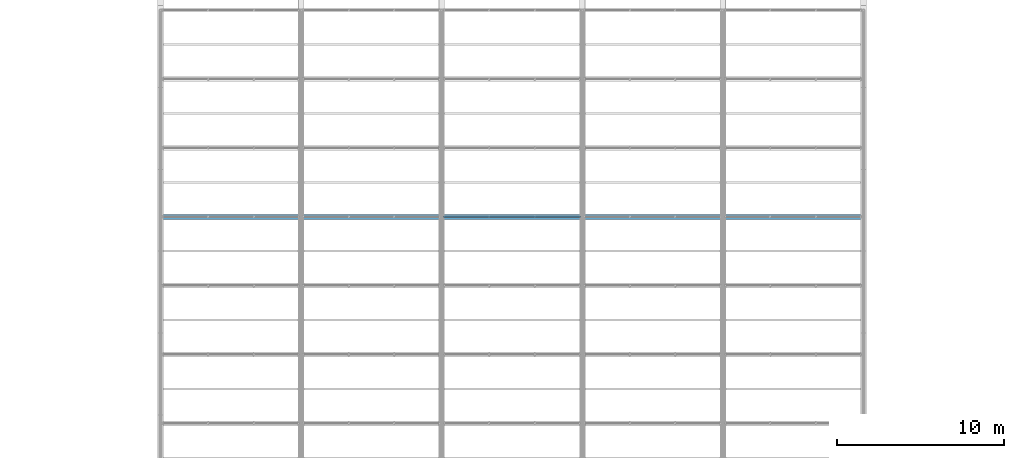
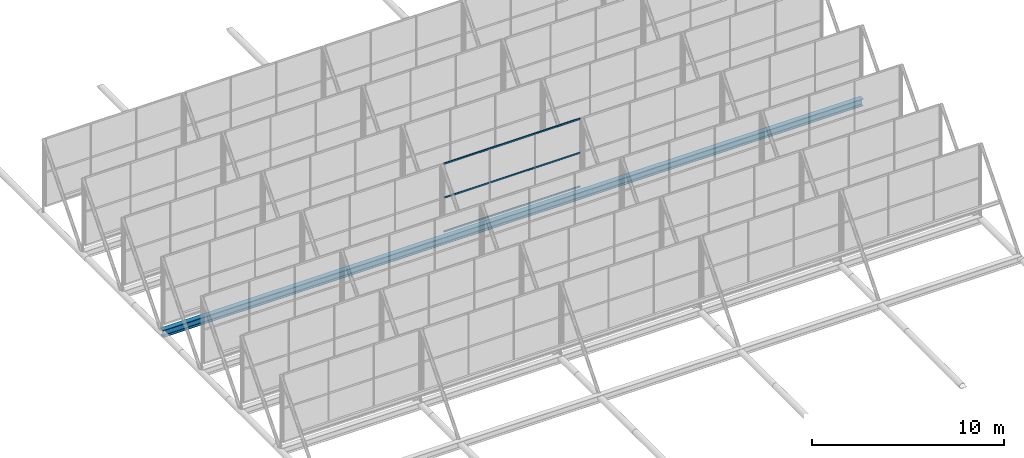
# One storey, part 25 of 77: 3 members, 1 beam, 1 element without a shape of its own.
"""IFC4 building model written with IfcOpenShell, lengths in metres."""

import ifcopenshell
import ifcopenshell.guid

model = None  # the IFC model being written
_history = None  # IfcOwnerHistory: only IFC2X3 demands one
_inside = {}  # id of a spatial element -> (the spatial element, [elements in it])
_under = {}  # id of a project, library or spatial element -> (it, [spatial elements below it])
_declared = {}  # id of a project -> (the project, [libraries it declares])
_typed = {}  # id of a type object -> (the type object, [elements of that type])
_made_of = {}  # id of a material, layer set ... -> (it, [elements and type objects made of it])


def new_model(schema):
    """Start an empty IFC model of exactly this schema.

    Asked for "IFC4X3", IfcOpenShell would pick the latest addendum, in which some entities
    have other attributes; the version numbers below select the first issue.
    IFC2X3 requires an IfcOwnerHistory on every rooted entity: one is made here for all.
    """
    global model, _history
    if schema == "IFC4X3":
        model = ifcopenshell.file(schema_version=(4, 3, 0, 0))
    else:
        model = ifcopenshell.file(schema=schema)
    _inside.clear()
    _under.clear()
    _declared.clear()
    _typed.clear()
    _made_of.clear()
    _history = None
    if model.schema == "IFC2X3":
        org = make("IfcOrganization", Name="unknown")
        user = make(
            "IfcPersonAndOrganization",
            ThePerson=make("IfcPerson", FamilyName="unknown"),
            TheOrganization=org,
        )
        app = make(
            "IfcApplication",
            ApplicationDeveloper=org,
            Version="unknown",
            ApplicationFullName="unknown",
            ApplicationIdentifier="unknown",
        )
        _history = make(
            "IfcOwnerHistory",
            OwningUser=user,
            OwningApplication=app,
            ChangeAction="ADDED",
            CreationDate=0,
        )
    return model


def make(cls, **values):
    """One entity of the class cls with the attributes given. An attribute that is None is left unset."""
    return model.create_entity(
        cls, **{name: value for name, value in values.items() if value is not None}
    )


def rooted(cls, **values):
    """An entity with a GlobalId (a new one), such as an element, a storey or a relation."""
    return make(cls, GlobalId=ifcopenshell.guid.new(), OwnerHistory=_history, **values)


def si_unit(unit_type, name, prefix=None):
    """IfcSIUnit, for example si_unit("LENGTHUNIT", "METRE", prefix="MILLI")."""
    return make("IfcSIUnit", UnitType=unit_type, Prefix=prefix, Name=name)


def derived_unit(unit_type, elements):
    """IfcDerivedUnit: a product of units, each with its exponent."""
    return make(
        "IfcDerivedUnit",
        Elements=[
            make("IfcDerivedUnitElement", Unit=unit, Exponent=power)
            for unit, power in elements
        ],
        UnitType=unit_type,
    )


def assignment(units):
    """IfcUnitAssignment: the units of a project."""
    return None if units is None else make("IfcUnitAssignment", Units=units)


def point(xyz):
    """IfcCartesianPoint."""
    return None if xyz is None else make("IfcCartesianPoint", Coordinates=xyz)


def direction(xyz):
    """IfcDirection."""
    return None if xyz is None else make("IfcDirection", DirectionRatios=xyz)


def frame(location, z_axis=None, x_axis=None):
    """IfcAxis2Placement3D, a coordinate frame: its origin and axes. An axis left out is left unset."""
    return make(
        "IfcAxis2Placement3D",
        Location=point(location),
        Axis=direction(z_axis),
        RefDirection=direction(x_axis),
    )


def frame_2d(location, x_axis=None):
    """IfcAxis2Placement2D, a coordinate frame in the plane: its origin and x axis."""
    return make(
        "IfcAxis2Placement2D", Location=point(location), RefDirection=direction(x_axis)
    )


def origin():
    """The frame at (0, 0, 0) with its axes left unset."""
    return frame((0.0, 0.0, 0.0))


def origin_2d():
    """The frame at (0, 0) in the plane with its x axis left unset."""
    return frame_2d((0.0, 0.0))


def place(relative_to, where):
    """IfcLocalPlacement: puts the frame where relative to a parent placement (None: the world)."""
    return make(
        "IfcLocalPlacement", PlacementRelTo=relative_to, RelativePlacement=where
    )


def context(
    kind, dimensions, precision=None, world=None, true_north=None, identifier=None
):
    """IfcGeometricRepresentationContext, for example the 3D "Model" context."""
    return make(
        "IfcGeometricRepresentationContext",
        ContextIdentifier=identifier,
        ContextType=kind,
        CoordinateSpaceDimension=dimensions,
        Precision=precision,
        WorldCoordinateSystem=world,
        TrueNorth=true_north,
    )


def subcontext(parent, identifier, kind, view, scale=None):
    """IfcGeometricRepresentationSubContext, for example "Body" below "Model"."""
    return make(
        "IfcGeometricRepresentationSubContext",
        ContextIdentifier=identifier,
        ContextType=kind,
        ParentContext=parent,
        TargetScale=scale,
        TargetView=view,
    )


def project(units=None, contexts=None):
    """IfcProject with its units and contexts."""
    return rooted(
        "IfcProject",
        Name="project",
        RepresentationContexts=contexts,
        UnitsInContext=assignment(units),
    )


def spatial(cls, under=None, at=None, **own):
    """A site, building, storey or space (cls), placed at a placement, below another one or the project."""
    s = rooted(cls, ObjectPlacement=at, **own)
    if under is not None:
        _under.setdefault(under.id(), (under, []))[1].append(s)
    return s


def profile(cls, at=None, kind="AREA", **sizes):
    """A parametric profile (cls). Its sizes go by their IFC names, for example OverallWidth=200.0."""
    return make(cls, ProfileType=kind, Position=at, **sizes)


def hollow_rectangle(**sizes):
    """IfcRectangleHollowProfileDef."""
    return profile("IfcRectangleHollowProfileDef", **sizes)


def i_section(**sizes):
    """IfcIShapeProfileDef."""
    return profile("IfcIShapeProfileDef", **sizes)


def extrude(swept, where, along, depth):
    """IfcExtrudedAreaSolid: the profile swept, set in the frame where, extruded along a direction by depth."""
    return make(
        "IfcExtrudedAreaSolid",
        SweptArea=swept,
        Position=where,
        ExtrudedDirection=direction(along),
        Depth=depth,
    )


def shape(context_of_items, identifier, shape_type, items):
    """IfcShapeRepresentation: the items that make up one representation, for example the "Body"."""
    return make(
        "IfcShapeRepresentation",
        ContextOfItems=context_of_items,
        RepresentationIdentifier=identifier,
        RepresentationType=shape_type,
        Items=items,
    )


def material(Name=None, Category=None):
    """IfcMaterial."""
    return make("IfcMaterial", Name=Name, Category=Category)


def material_profile(
    of_material, cross_section, Name=None, Category=None, Priority=None
):
    """IfcMaterialProfile: a cross section and its material."""
    return make(
        "IfcMaterialProfile",
        Name=Name,
        Material=of_material,
        Profile=cross_section,
        Priority=Priority,
        Category=Category,
    )


def profile_set(profiles, Name=None, composite=None):
    """IfcMaterialProfileSet."""
    return make(
        "IfcMaterialProfileSet",
        Name=Name,
        MaterialProfiles=profiles,
        CompositeProfile=composite,
    )


def made_of(thing, what):
    """Note that an element or type object is made of a material, layer set ...; save() writes the relation."""
    if what is not None:
        _made_of.setdefault(what.id(), (what, []))[1].append(thing)
    return thing


def type_object(cls, material=None, **own):
    """A type object (cls), such as IfcWallType, which elements share."""
    return made_of(rooted(cls, **own), material)


def element(
    cls,
    number,
    at=None,
    inside=None,
    cuts=None,
    type_object=None,
    material=None,
    context=None,
    identifier="Body",
    shape_type=None,
    held_by="IfcProductDefinitionShape",
    body=None,
    shapes=None,
    **own,
):
    """One element of the class cls, such as IfcWall. Its Tag is "e" and its number.

    at: its placement. inside: the storey or other place that contains it. cuts: it is an
    opening in that element (IfcRelVoidsElement). A single representation is given by context,
    identifier, shape_type and body (its items); several are given by shapes. held_by: the class
    of the entity that holds the representations. save() writes the other relations.
    """
    e = rooted(cls, Tag="e%d" % number, ObjectPlacement=at, **own)
    if body is not None:
        shapes = [shape(context, identifier, shape_type, body)]
    if shapes is not None:
        e.Representation = make(held_by, Representations=shapes)
    if inside is not None:
        _inside.setdefault(inside.id(), (inside, []))[1].append(e)
    if cuts is not None:
        rooted(
            "IfcRelVoidsElement", RelatingBuildingElement=cuts, RelatedOpeningElement=e
        )
    if type_object is not None:
        _typed.setdefault(type_object.id(), (type_object, []))[1].append(e)
    return made_of(e, material)


def aggregate(whole, parts):
    """IfcRelAggregates: a whole, such as a stair, and the parts it consists of."""
    return rooted("IfcRelAggregates", RelatingObject=whole, RelatedObjects=parts)


def save(model, path):
    """Write the relations noted so far, then the file.

    IfcRelAggregates (storeys below a building ...), IfcRelContainedInSpatialStructure (elements
    in a storey), IfcRelDefinesByType, IfcRelAssociatesMaterial and IfcRelDeclares: one each for
    every whole, place, type object, material and project.
    """
    for whole, parts in _under.values():
        aggregate(whole, parts)
    for where, things in _inside.values():
        rooted(
            "IfcRelContainedInSpatialStructure",
            RelatedElements=things,
            RelatingStructure=where,
        )
    for kind, things in _typed.values():
        rooted("IfcRelDefinesByType", RelatedObjects=things, RelatingType=kind)
    for what, things in _made_of.values():
        rooted("IfcRelAssociatesMaterial", RelatedObjects=things, RelatingMaterial=what)
    for by, libraries in _declared.values():
        rooted("IfcRelDeclares", RelatingContext=by, RelatedDefinitions=libraries)
    model.write(path)


model = new_model("IFC4")

# Units and contexts
model_context = context("Model", 3, precision=1e-05, world=origin(), true_north=direction((0.0, 1.0)))
body_context = subcontext(model_context, "Body", "Model", "MODEL_VIEW")
ifc_project = project(units=[si_unit("LENGTHUNIT", "METRE"), si_unit("AREAUNIT", "SQUARE_METRE"), si_unit("VOLUMEUNIT", "CUBIC_METRE"), si_unit("PLANEANGLEUNIT", "RADIAN"), si_unit("MASSUNIT", "GRAM", prefix="KILO"), derived_unit("THERMALTRANSMITTANCEUNIT", [(si_unit("MASSUNIT", "GRAM", prefix="KILO"), 1), (si_unit("TIMEUNIT", "SECOND"), -3), (si_unit("THERMODYNAMICTEMPERATUREUNIT", "KELVIN"), -1)])], contexts=[model_context])

# Site, building, storey
site_placement = place(None, origin())
site = spatial("IfcSite", under=ifc_project, at=site_placement, CompositionType="ELEMENT")
building_placement = place(site_placement, origin())
building = spatial("IfcBuilding", under=site, at=building_placement, Name="Kharveza Railside Sports Centre", CompositionType="ELEMENT")
storey_placement = place(building_placement, frame((0.0, 0.0, 17.10009765625)))
storey = spatial("IfcBuildingStorey", under=building, at=storey_placement, Name="L04", CompositionType="ELEMENT", Elevation=17.10009765625)

# Beam
ifc_material_1 = material(Name="Steel S355J2", Category="steel")
ifc_material_profile_1 = material_profile(ifc_material_1, i_section(OverallWidth=0.300048828125, OverallDepth=0.449951171875, WebThickness=0.013916015625, FlangeThickness=0.02587890625, FilletRadius=0.027099609375, at=origin_2d()), Name="HEB 450")
ifc_profile_set_1 = profile_set([ifc_material_profile_1], Name="Steel S355J2")
beam_type = type_object("IfcBeamType", Name="BM-G06", PredefinedType="T_BEAM", material=ifc_profile_set_1)
beam_placement = place(storey_placement, frame((33.60009765625, 52.45703125, -1.050048828125), z_axis=(1.0, 0.0, 0.0), x_axis=(0.0, 1.0, 0.0)))
element("IfcBeam", 1, at=beam_placement, inside=storey, type_object=beam_type, Name="BM-V1SAW-VAL-5", PredefinedType="T_BEAM", context=body_context, shape_type="SweptSolid", body=[
    extrude(i_section(OverallWidth=0.300048828125, OverallDepth=0.449951171875, WebThickness=0.013916015625, FlangeThickness=0.02587890625, FilletRadius=0.027099609375, at=origin_2d()), origin(), (0.0, 0.0, 1.0), 42.0),
])

# Curtain wall, members
ifc_material_2 = material(Name="Low-E solar-control laminated glass", Category="glass")
curtain_wall_type = type_object("IfcCurtainWallType", Name="CW-NL01", PredefinedType="NOTDEFINED", material=ifc_material_2)
curtain_wall_placement = place(storey_placement, origin())
curtain_wall = element("IfcCurtainWall", 2, at=curtain_wall_placement, inside=storey, type_object=curtain_wall_type, Name="CW-V1NL-4-3", PredefinedType="NOTDEFINED")
ifc_material_3 = material(Name="Anodised aluminium 6063-T6", Category="aluminium")
ifc_material_profile_2 = material_profile(ifc_material_3, hollow_rectangle(XDim=0.06005859375, YDim=0.10009765625, WallThickness=0.00390625, InnerFilletRadius=0.00390625, OuterFilletRadius=0.008056640625, at=origin_2d()), Name="RHS 60x100x4.0")
ifc_profile_set_2 = profile_set([ifc_material_profile_2], Name="Anodised aluminium 6063-T6")
member_type = type_object("IfcMemberType", Name="CW-TR05", PredefinedType="USERDEFINED", material=ifc_profile_set_2)
member_1_placement = place(storey_placement, frame((50.52001953125, 52.45703125, -0.550048828125), z_axis=(1.0, 0.0, 0.0), x_axis=(0.0, 1.0, 0.0)))
member_1 = element("IfcMember", 3, at=member_1_placement, type_object=member_type, Name="CW-V1NL-4-3-TR1", ObjectType="TRANSOM", PredefinedType="USERDEFINED", context=body_context, shape_type="SweptSolid", body=[
    extrude(hollow_rectangle(XDim=0.06005859375, YDim=0.10009765625, WallThickness=0.00390625, InnerFilletRadius=0.00390625, OuterFilletRadius=0.008056640625, at=origin_2d()), origin(), (0.0, 0.0, 1.0), 8.159912109375),
])
member_2_placement = place(storey_placement, frame((50.52001953125, 52.45703125, 1.599853515625), z_axis=(1.0, 0.0, 0.0), x_axis=(0.0, 1.0, 0.0)))
member_2 = element("IfcMember", 4, at=member_2_placement, type_object=member_type, Name="CW-V1NL-4-3-TR2", ObjectType="TRANSOM", PredefinedType="USERDEFINED", context=body_context, shape_type="SweptSolid", body=[
    extrude(hollow_rectangle(XDim=0.06005859375, YDim=0.10009765625, WallThickness=0.00390625, InnerFilletRadius=0.00390625, OuterFilletRadius=0.008056640625, at=origin_2d()), origin(), (0.0, 0.0, 1.0), 8.159912109375),
])
member_3_placement = place(storey_placement, frame((50.52001953125, 52.45703125, 3.75), z_axis=(1.0, 0.0, 0.0), x_axis=(0.0, 1.0, 0.0)))
member_3 = element("IfcMember", 5, at=member_3_placement, type_object=member_type, Name="CW-V1NL-4-3-TR3", ObjectType="TRANSOM", PredefinedType="USERDEFINED", context=body_context, shape_type="SweptSolid", body=[
    extrude(hollow_rectangle(XDim=0.06005859375, YDim=0.10009765625, WallThickness=0.00390625, InnerFilletRadius=0.00390625, OuterFilletRadius=0.008056640625, at=origin_2d()), origin(), (0.0, 0.0, 1.0), 8.159912109375),
])
aggregate(curtain_wall, [member_1, member_2, member_3])

save(model, "model.ifc")
